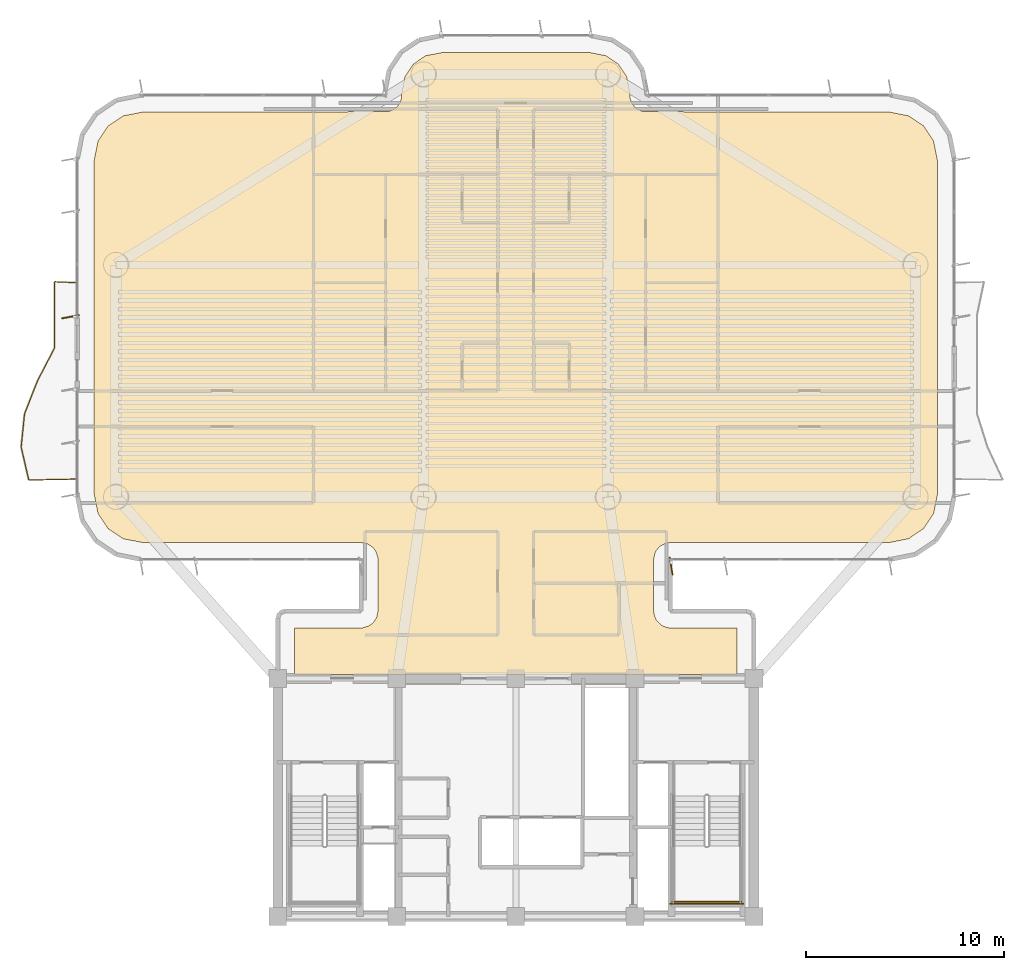
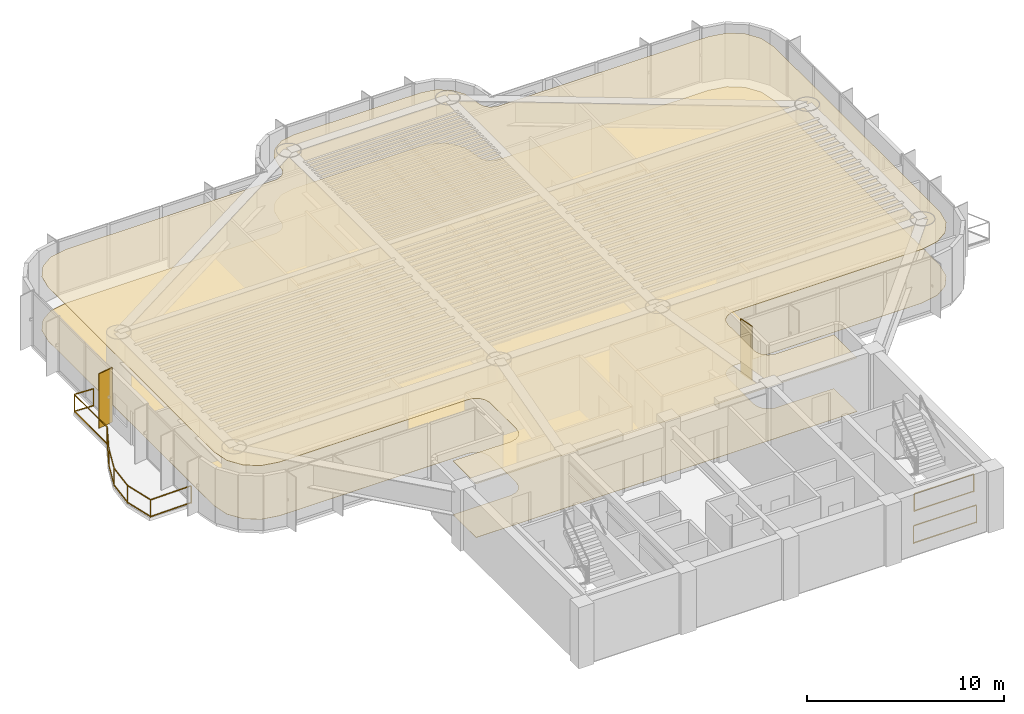
# One storey, part 13 of 15: 3 railings, 2 coverings, 2 shading devices.
"""IFC4 building model written with IfcOpenShell, lengths in metres."""

from ifc_helpers import new_model, si_unit, direction, frame, origin, origin_2d, place, context, subcontext, project, spatial, polyline, rectangle, outline, extrude, source, transform, mapped, material, layer, layer_set, material_profile, profile_set, type_object, element, save


model = new_model("IFC4")

# Units and contexts
model_context = context("Model", 3, precision=1e-05, world=origin(), true_north=direction((0.0, 1.0)))
body_context = subcontext(model_context, "Body", "Model", "MODEL_VIEW")
ifc_project = project(units=[si_unit("LENGTHUNIT", "METRE"), si_unit("AREAUNIT", "SQUARE_METRE"), si_unit("VOLUMEUNIT", "CUBIC_METRE"), si_unit("PLANEANGLEUNIT", "RADIAN"), si_unit("MASSUNIT", "GRAM", prefix="KILO")], contexts=[model_context])

# Site, building, storey
site_placement = place(None, origin())
site = spatial("IfcSite", under=ifc_project, at=site_placement, CompositionType="ELEMENT")
building_placement = place(site_placement, origin())
building = spatial("IfcBuilding", under=site, at=building_placement, Name="Brelvock Crest Care Tower", CompositionType="ELEMENT")
storey_placement = place(building_placement, frame((0.0, 0.0, 142.739990234375)))
storey = spatial("IfcBuildingStorey", under=building, at=storey_placement, Name="L36", CompositionType="ELEMENT", Elevation=142.739990234375)

# Coverings
ifc_material_1 = material(Name="Mineral Fibre Acoustic Ceiling Tile", Category="gypsum")
ifc_layer_1 = layer(ifc_material_1, 0.02490234375, Name="COV-CLG1")
ifc_layer_set_1 = layer_set([ifc_layer_1], Name="Mineral Fibre Acoustic Ceiling Tile")
covering_type_1 = type_object("IfcCoveringType", Name="COV-CLG1", PredefinedType="CEILING", material=ifc_layer_set_1)
covering_1_placement = place(storey_placement, frame((0.0, 0.0, 3.31689453125)))
element("IfcCovering", 1, at=covering_1_placement, inside=storey, type_object=covering_type_1, Name="L36 Acoustic Suspended Ceiling 1", PredefinedType="CEILING", context=body_context, shape_type="SweptSolid", body=[
    extrude(outline(polyline([(24.85009765625, 18.199951171875), (47.14990234375, 18.199951171875), (47.14990234375, 20.550048828125), (43.716796875, 20.55419921875), (43.55322265625, 20.586669921875), (43.327880859375, 20.693359375), (43.09326171875, 20.927734375), (42.986572265625, 21.1533203125), (42.949951171875, 21.39990234375), (42.949951171875, 24.0), (43.0146484375, 24.3251953125), (43.09326171875, 24.47216796875), (43.2607421875, 24.656982421875), (43.55322265625, 24.8134765625), (43.800048828125, 24.85009765625), (54.81640625, 24.85009765625), (55.79296875, 25.044189453125), (56.5498046875, 25.550048828125), (57.0556640625, 26.30712890625), (57.25, 27.28369140625), (57.25, 44.1162109375), (57.0556640625, 45.093017578125), (56.5498046875, 45.849853515625), (55.79296875, 46.355712890625), (54.81640625, 46.550048828125), (42.43408203125, 46.56640625), (42.127685546875, 46.693359375), (41.9990234375, 46.799072265625), (41.850341796875, 46.999267578125), (41.766357421875, 47.234130859375), (41.75, 47.516357421875), (41.586181640625, 48.33984375), (41.1669921875, 48.967041015625), (40.539794921875, 49.38623046875), (39.71630859375, 49.550048828125), (32.28369140625, 49.550048828125), (31.460205078125, 49.38623046875), (30.8330078125, 48.967041015625), (30.413818359375, 48.33984375), (30.25, 47.516357421875), (30.233642578125, 47.234130859375), (30.149658203125, 46.999267578125), (30.0009765625, 46.799072265625), (29.872314453125, 46.693359375), (29.56591796875, 46.56640625), (17.18359375, 46.550048828125), (16.20703125, 46.355712890625), (15.4501953125, 45.849853515625), (14.9443359375, 45.093017578125), (14.75, 44.1162109375), (14.75, 27.28369140625), (14.9443359375, 26.30712890625), (15.4501953125, 25.550048828125), (16.20703125, 25.044189453125), (17.18359375, 24.85009765625), (28.199951171875, 24.85009765625), (28.525390625, 24.785400390625), (28.801025390625, 24.60107421875), (28.94970703125, 24.400634765625), (29.0458984375, 24.083251953125), (29.050048828125, 21.39990234375), (28.9853515625, 21.07470703125), (28.801025390625, 20.799072265625), (28.6005859375, 20.650390625), (28.283203125, 20.55419921875), (24.85009765625, 20.550048828125), (24.85009765625, 18.199951171875)])), origin(), (0.0, 0.0, 1.0), 0.025146484375),
])
ifc_material_2 = material(Name="Slip-Resistant Acoustic Vinyl Flooring", Category="finish")
ifc_layer_2 = layer(ifc_material_2, 0.014892578125, Name="COV-FLR1")
ifc_layer_set_2 = layer_set([ifc_layer_2], Name="Slip-Resistant Acoustic Vinyl Flooring")
covering_type_2 = type_object("IfcCoveringType", Name="COV-FLR1", PredefinedType="FLOORING", material=ifc_layer_set_2)
covering_2_placement = place(storey_placement, origin())
element("IfcCovering", 2, at=covering_2_placement, inside=storey, type_object=covering_type_2, Name="L36 Slip-Resistant Acoustic Flooring 1", PredefinedType="FLOORING", context=body_context, shape_type="SweptSolid", body=[
    extrude(outline(polyline([(24.85009765625, 18.199951171875), (47.14990234375, 18.199951171875), (47.14990234375, 20.550048828125), (43.716796875, 20.55419921875), (43.55322265625, 20.586669921875), (43.327880859375, 20.693359375), (43.09326171875, 20.927734375), (42.986572265625, 21.1533203125), (42.949951171875, 21.39990234375), (42.949951171875, 24.0), (43.0146484375, 24.3251953125), (43.09326171875, 24.47216796875), (43.2607421875, 24.656982421875), (43.55322265625, 24.8134765625), (43.800048828125, 24.85009765625), (54.81640625, 24.85009765625), (55.79296875, 25.044189453125), (56.5498046875, 25.550048828125), (57.0556640625, 26.30712890625), (57.25, 27.28369140625), (57.25, 44.1162109375), (57.0556640625, 45.093017578125), (56.5498046875, 45.849853515625), (55.79296875, 46.355712890625), (54.81640625, 46.550048828125), (42.43408203125, 46.56640625), (42.127685546875, 46.693359375), (41.9990234375, 46.799072265625), (41.850341796875, 46.999267578125), (41.766357421875, 47.234130859375), (41.75, 47.516357421875), (41.586181640625, 48.33984375), (41.1669921875, 48.967041015625), (40.539794921875, 49.38623046875), (39.71630859375, 49.550048828125), (32.28369140625, 49.550048828125), (31.460205078125, 49.38623046875), (30.8330078125, 48.967041015625), (30.413818359375, 48.33984375), (30.25, 47.516357421875), (30.233642578125, 47.234130859375), (30.149658203125, 46.999267578125), (30.0009765625, 46.799072265625), (29.872314453125, 46.693359375), (29.56591796875, 46.56640625), (17.18359375, 46.550048828125), (16.20703125, 46.355712890625), (15.4501953125, 45.849853515625), (14.9443359375, 45.093017578125), (14.75, 44.1162109375), (14.75, 27.28369140625), (14.9443359375, 26.30712890625), (15.4501953125, 25.550048828125), (16.20703125, 25.044189453125), (17.18359375, 24.85009765625), (28.199951171875, 24.85009765625), (28.525390625, 24.785400390625), (28.801025390625, 24.60107421875), (28.94970703125, 24.400634765625), (29.0458984375, 24.083251953125), (29.050048828125, 21.39990234375), (28.9853515625, 21.07470703125), (28.801025390625, 20.799072265625), (28.6005859375, 20.650390625), (28.283203125, 20.55419921875), (24.85009765625, 20.550048828125), (24.85009765625, 18.199951171875)])), origin(), (0.0, 0.0, 1.0), 0.014892578125),
])

# Railings
ifc_material_3 = material(Name="Dark Glass Double Glazed Low-E", Category="glass")
ifc_layer_3 = layer(ifc_material_3, 0.06005859375, Name="RL-BAL1")
ifc_layer_set_3 = layer_set([ifc_layer_3], Name="Dark Glass Double Glazed Low-E")
railing_type_1 = type_object("IfcRailingType", Name="RL-BAL1", PredefinedType="BALUSTRADE", material=ifc_layer_set_3)
railing_1_placement = place(storey_placement, frame((13.860107421875, 28.050048828125, 0.00390625)))
element("IfcRailing", 3, at=railing_1_placement, inside=storey, type_object=railing_type_1, Name="L36 Safety Balustrade WB-W", PredefinedType="BALUSTRADE", context=body_context, shape_type="SweptSolid", body=[
    extrude(rectangle(XDim=0.048095703125, YDim=0.048095703125, at=origin_2d()), frame((-0.001953125, 0.0, 1.09619140625), z_axis=(-0.999783496855, -0.020807676838, 0.0), x_axis=(0.020807676838, -0.999783496855, 0.0)), (0.0, 0.0, 1.0), 2.4013671875),
    extrude(rectangle(XDim=0.048095703125, YDim=0.048095703125, at=origin_2d()), frame((-0.001953125, 0.0, 0.054931640625), z_axis=(-0.999783496855, -0.020807676838, 0.0), x_axis=(0.020807676838, -0.999783496855, 0.0)), (0.0, 0.0, 1.0), 2.4013671875),
    extrude(rectangle(XDim=0.048095703125, YDim=0.048095703125, at=origin_2d()), frame((-2.4052734375, -0.048095703125, 1.09619140625), z_axis=(-0.22439035679, 0.974499342114, 0.0), x_axis=(-0.974499342114, -0.22439035679, 0.0)), (0.0, 0.0, 1.0), 1.706298828125),
    extrude(rectangle(XDim=0.048095703125, YDim=0.048095703125, at=origin_2d()), frame((-2.4052734375, -0.048095703125, 0.054931640625), z_axis=(-0.22439035679, 0.974499342114, 0.0), x_axis=(-0.974499342114, -0.22439035679, 0.0)), (0.0, 0.0, 1.0), 1.706298828125),
    extrude(rectangle(XDim=0.048095703125, YDim=0.048095703125, at=origin_2d()), frame((-2.788330078125, 1.61865234375, 1.09619140625), z_axis=(0.101148651987, 0.994871323439, 0.0), x_axis=(-0.994871323439, 0.101148651987, 0.0)), (0.0, 0.0, 1.0), 1.671142578125),
    extrude(rectangle(XDim=0.048095703125, YDim=0.048095703125, at=origin_2d()), frame((-2.788330078125, 1.61865234375, 0.054931640625), z_axis=(0.101148651987, 0.994871323439, 0.0), x_axis=(-0.994871323439, 0.101148651987, 0.0)), (0.0, 0.0, 1.0), 1.671142578125),
    extrude(rectangle(XDim=0.048095703125, YDim=0.048095703125, at=origin_2d()), frame((-2.618408203125, 3.28515625, 1.09619140625), z_axis=(0.364466206994, 0.93121661495, 0.0), x_axis=(-0.93121661495, 0.364466206994, 0.0)), (0.0, 0.0, 1.0), 1.785888671875),
    extrude(rectangle(XDim=0.048095703125, YDim=0.048095703125, at=origin_2d()), frame((-2.618408203125, 3.28515625, 0.054931640625), z_axis=(0.364466206994, 0.93121661495, 0.0), x_axis=(-0.93121661495, 0.364466206994, 0.0)), (0.0, 0.0, 1.0), 1.785888671875),
    extrude(rectangle(XDim=0.048095703125, YDim=0.048095703125, at=origin_2d()), frame((-1.9658203125, 4.95166015625, 1.09619140625), z_axis=(0.46114401417, 0.887325305733, 0.0), x_axis=(-0.887325305733, 0.46114401417, 0.0)), (0.0, 0.0, 1.0), 1.87451171875),
    extrude(rectangle(XDim=0.048095703125, YDim=0.048095703125, at=origin_2d()), frame((-1.9658203125, 4.95166015625, 0.054931640625), z_axis=(0.46114401417, 0.887325305733, 0.0), x_axis=(-0.887325305733, 0.46114401417, 0.0)), (0.0, 0.0, 1.0), 1.87451171875),
    extrude(rectangle(XDim=0.048095703125, YDim=0.048095703125, at=origin_2d()), frame((-1.1005859375, 6.61865234375, 1.09619140625), z_axis=(0.00014648795, 0.999999989271, 0.0), x_axis=(-0.999999989271, 0.00014648795, 0.0)), (0.0, 0.0, 1.0), 3.329345703125),
    extrude(rectangle(XDim=0.048095703125, YDim=0.048095703125, at=origin_2d()), frame((-1.1005859375, 6.61865234375, 0.054931640625), z_axis=(0.00014648795, 0.999999989271, 0.0), x_axis=(-0.999999989271, 0.00014648795, 0.0)), (0.0, 0.0, 1.0), 3.329345703125),
    extrude(rectangle(XDim=0.048095703125, YDim=0.048095703125, at=origin_2d()), frame((-1.09814453125, 9.949951171875, 1.09619140625), z_axis=(0.998966710972, -0.045447886318, 0.0), x_axis=(0.045447886318, 0.998966710972, 0.0)), (0.0, 0.0, 1.0), 1.09716796875),
    extrude(rectangle(XDim=0.048095703125, YDim=0.048095703125, at=origin_2d()), frame((-1.09814453125, 9.949951171875, 0.054931640625), z_axis=(0.998966710972, -0.045447886318, 0.0), x_axis=(0.045447886318, 0.998966710972, 0.0)), (0.0, 0.0, 1.0), 1.09716796875),
    extrude(rectangle(XDim=0.0419921875, YDim=0.0419921875, at=origin_2d()), origin(), (0.0, 0.0, 1.0), 1.070068359375),
    extrude(rectangle(XDim=0.0419921875, YDim=0.0419921875, at=origin_2d()), frame((-2.40478515625, -0.050048828125, 0.0)), (0.0, 0.0, 1.0), 1.070068359375),
    extrude(rectangle(XDim=0.0419921875, YDim=0.0419921875, at=origin_2d()), frame((-2.78857421875, 1.61669921875, 0.0)), (0.0, 0.0, 1.0), 1.070068359375),
    extrude(rectangle(XDim=0.0419921875, YDim=0.0419921875, at=origin_2d()), frame((-2.619140625, 3.283203125, 0.0)), (0.0, 0.0, 1.0), 1.070068359375),
    extrude(rectangle(XDim=0.0419921875, YDim=0.0419921875, at=origin_2d()), frame((-1.966796875, 4.949951171875, 0.0)), (0.0, 0.0, 1.0), 1.070068359375),
    extrude(rectangle(XDim=0.0419921875, YDim=0.0419921875, at=origin_2d()), frame((-1.1005859375, 6.61669921875, 0.0)), (0.0, 0.0, 1.0), 1.070068359375),
    extrude(rectangle(XDim=0.0419921875, YDim=0.0419921875, at=origin_2d()), frame((-1.10009765625, 9.949951171875, 0.0)), (0.0, 0.0, 1.0), 1.070068359375),
    extrude(rectangle(XDim=0.0419921875, YDim=0.0419921875, at=origin_2d()), frame((0.0, 9.89990234375, 0.0)), (0.0, 0.0, 1.0), 1.070068359375),
])
ifc_material_4 = material(Name="Steel Grade 350", Category="steel")
ifc_layer_4 = layer(ifc_material_4, 0.050048828125, Name="RL-STG1")
ifc_layer_set_4 = layer_set([ifc_layer_4], Name="Steel Grade 350")
railing_type_2 = type_object("IfcRailingType", Name="RL-STG1", PredefinedType="GUARDRAIL", material=ifc_layer_set_4)
railing_2_placement = place(storey_placement, frame((43.889892578125, 6.75, 1.889892578125)))
element("IfcRailing", 4, at=railing_2_placement, inside=storey, type_object=railing_type_2, Name="L36 ST-2 stair guard 5", PredefinedType="GUARDRAIL", context=body_context, shape_type="SweptSolid", body=[
    extrude(rectangle(XDim=0.048095703125, YDim=0.048095703125, at=origin_2d()), frame((0.001953125, 0.0, 1.11572265625), z_axis=(1.0, 0.0, 0.0), x_axis=(0.0, 1.0, 0.0)), (0.0, 0.0, 1.0), 3.476318359375),
    extrude(rectangle(XDim=0.048095703125, YDim=0.048095703125, at=origin_2d()), frame((0.001953125, 0.0, 0.054931640625), z_axis=(1.0, 0.0, 0.0), x_axis=(0.0, 1.0, 0.0)), (0.0, 0.0, 1.0), 3.476318359375),
    extrude(rectangle(XDim=0.0419921875, YDim=0.0419921875, at=origin_2d()), origin(), (0.0, 0.0, 1.0), 1.08984375),
    extrude(rectangle(XDim=0.0419921875, YDim=0.0419921875, at=origin_2d()), frame((3.480224609375, 0.0, 0.0)), (0.0, 0.0, 1.0), 1.08984375),
])
railing_3_placement = place(storey_placement, frame((43.7900390625, 6.64990234375, 0.0)))
element("IfcRailing", 5, at=railing_3_placement, inside=storey, type_object=railing_type_2, Name="L36 ST-2 stair guard 12", PredefinedType="GUARDRAIL", context=body_context, shape_type="SweptSolid", body=[
    extrude(rectangle(XDim=0.048095703125, YDim=0.048095703125, at=origin_2d()), frame((0.001953125, 0.0, 1.11572265625), z_axis=(1.0, 0.0, 0.0), x_axis=(0.0, 1.0, 0.0)), (0.0, 0.0, 1.0), 3.676025390625),
    extrude(rectangle(XDim=0.048095703125, YDim=0.048095703125, at=origin_2d()), frame((0.001953125, 0.0, 0.054931640625), z_axis=(1.0, 0.0, 0.0), x_axis=(0.0, 1.0, 0.0)), (0.0, 0.0, 1.0), 3.676025390625),
    extrude(rectangle(XDim=0.0419921875, YDim=0.0419921875, at=origin_2d()), origin(), (0.0, 0.0, 1.0), 1.08984375),
    extrude(rectangle(XDim=0.0419921875, YDim=0.0419921875, at=origin_2d()), frame((3.679931640625, 0.0, 0.0)), (0.0, 0.0, 1.0), 1.08984375),
])

# Shading devices
ifc_material_5 = material(Name="Aluminium 6063-T6", Category="aluminium")
ifc_material_profile = material_profile(ifc_material_5, rectangle(XDim=0.054931640625, YDim=0.89990234375, at=origin_2d()), Name="FIN55x900")
ifc_profile_set = profile_set([ifc_material_profile], Name="Aluminium 6063-T6")
shading_device_type = type_object("IfcShadingDeviceType", Name="SHD-FIN1", PredefinedType="USERDEFINED", material=ifc_profile_set)
shared_shape = source(origin(), body_context, "Body", "SweptSolid", [
    extrude(rectangle(XDim=0.054931640625, YDim=0.89990234375, at=origin_2d()), origin(), (0.0, 0.0, 1.0), 3.3720703125),
])
for number, where, z_axis, x_axis, name in (
    (6, (13.56005859375, 36.22998046875, 0.0), (0.0, 0.0, 1.0), (-0.173648177667, 0.984807753012, 0.0), "L36 Vertical Sunshade Fin E17B-01"),
    (7, (43.830078125, 23.659912109375, 0.0), (0.0, 0.0, 1.0), (-0.984807753012, -0.173648177667, 0.0), "L36 Vertical Sunshade Fin E44-05"),
):
    element("IfcShadingDevice", number, at=place(storey_placement, frame(where, z_axis=z_axis, x_axis=x_axis)), inside=storey, type_object=shading_device_type, Name=name, ObjectType="FIN", PredefinedType="USERDEFINED", context=body_context, shape_type="MappedRepresentation", body=[
        mapped(shared_shape, transform((0.0, 0.0, 0.0), x_axis=(1.0, 0.0, 0.0), y_axis=(0.0, 1.0, 0.0), z_axis=(0.0, 0.0, 1.0), scale=1.0)),
    ])

save(model, "model.ifc")
